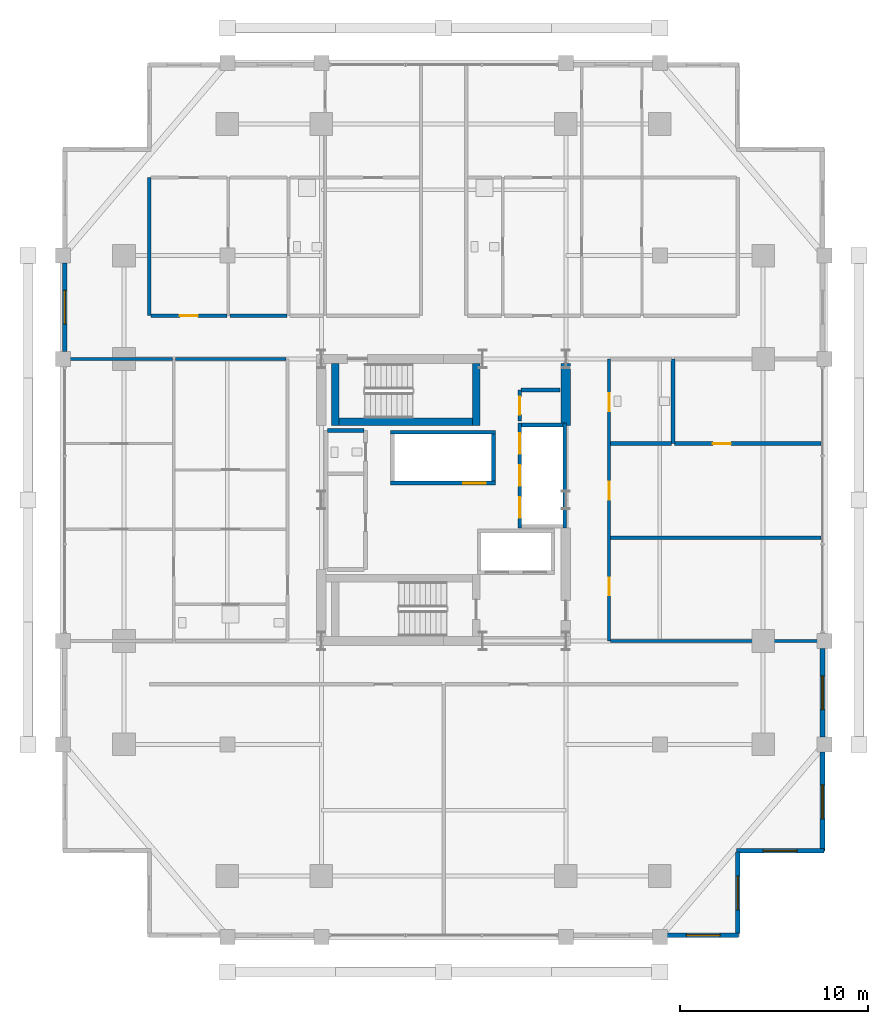
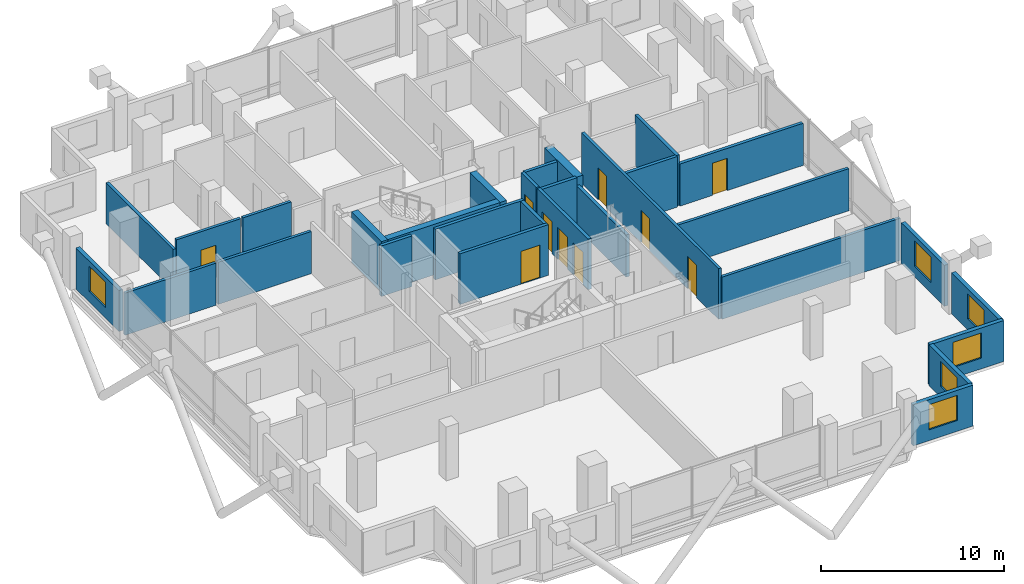
# One storey, part 18 of 22: 30 walls, 10 doors, 6 windows, 16 openings.
"""IFC4 building model written with IfcOpenShell, lengths in metres."""

from ifc_helpers import new_model, si_unit, direction, frame, frame_2d, origin, place, context, subcontext, project, spatial, rectangle, extrude, material, layer, layer_set, type_object, element, fill, save


model = new_model("IFC4")

# Units and contexts
model_context = context("Model", 3, precision=1e-05, world=origin(), true_north=direction((0.0, 1.0)))
body_context = subcontext(model_context, "Body", "Model", "MODEL_VIEW")
ifc_project = project(units=[si_unit("LENGTHUNIT", "METRE"), si_unit("AREAUNIT", "SQUARE_METRE"), si_unit("VOLUMEUNIT", "CUBIC_METRE"), si_unit("PLANEANGLEUNIT", "RADIAN"), si_unit("MASSUNIT", "GRAM", prefix="KILO")], contexts=[model_context])

# Site, building, storey
site_placement = place(None, origin())
site = spatial("IfcSite", under=ifc_project, at=site_placement, CompositionType="ELEMENT")
building_placement = place(site_placement, origin())
building = spatial("IfcBuilding", under=site, at=building_placement, Name="Barlavira Tower and Art Museum", CompositionType="ELEMENT")
storey_placement = place(building_placement, frame((0.0, 0.0, 129.60009765625)))
storey = spatial("IfcBuildingStorey", under=building, at=storey_placement, Name="L32", CompositionType="ELEMENT", Elevation=129.60009765625)

# Wall
ifc_material_1 = material(Name="Concrete C60", Category="concrete")
ifc_layer_1 = layer(ifc_material_1, 0.5, Name="Concrete C60")
ifc_layer_set_1 = layer_set([ifc_layer_1], Name="Concrete C60")
wall_type_1 = type_object("IfcWallType", Name="Core Structural Shear Wall 500 Concrete C60", PredefinedType="SHEAR", material=ifc_layer_set_1)
wall_1_placement = place(storey_placement, frame((6.5, 3.949951171875, 0.0), z_axis=(0.0, 0.0, 1.0), x_axis=(0.0, 1.0, 0.0)))
element("IfcWall", 1, at=wall_1_placement, inside=storey, type_object=wall_type_1, Name="L32 Core Shear Wall CS-E2", PredefinedType="SHEAR", context=body_context, shape_type="SweptSolid", body=[
    extrude(rectangle(XDim=3.300048828125, YDim=0.5, at=frame_2d((1.64990234375, 0.0))), origin(), (0.0, 0.0, 1.0), 3.3798828125),
])

# Wall, openings, doors
ifc_material_2 = material(Name="Autoclaved aerated concrete masonry", Category="masonry")
ifc_layer_2 = layer(ifc_material_2, 0.199951171875, Name="Autoclaved aerated concrete masonry")
ifc_layer_set_2 = layer_set([ifc_layer_2], Name="Autoclaved aerated concrete masonry")
wall_type_2 = type_object("IfcWallType", Name="Fire Compartment and Shaft Wall 200", PredefinedType="SOLIDWALL", material=ifc_layer_set_2)
wall_2_placement = place(storey_placement, frame((4.050048828125, -1.489990234375, 0.0), z_axis=(0.0, 0.0, 1.0), x_axis=(0.0, 1.0, 0.0)))
wall_2 = element("IfcWall", 2, at=wall_2_placement, inside=storey, type_object=wall_type_2, Name="L32 Mid-Rise Lift Front Shaft Wall", PredefinedType="SOLIDWALL", context=body_context, shape_type="SweptSolid", body=[
    extrude(rectangle(XDim=5.580078125, YDim=0.199951171875, at=frame_2d((2.7900390625, 0.0))), origin(), (0.0, 0.0, 1.0), 3.3798828125),
])
opening_1_placement = place(wall_2_placement, frame((0.5400390625, 0.0, 0.0)))
opening_1 = element("IfcOpeningElement", 3, at=opening_1_placement, cuts=wall_2, Name="Opening LD-P", PredefinedType="OPENING", context=body_context, shape_type="SweptSolid", body=[
    extrude(rectangle(XDim=1.10009765625, YDim=2.14990234375, at=frame_2d((0.550048828125, 1.074951171875))), frame((0.0, 0.10986328125, 0.0), z_axis=(0.0, -1.0, 0.0), x_axis=(1.0, 0.0, 0.0)), (0.0, 0.0, 1.0), 0.219970703125),
])
opening_2_placement = place(wall_2_placement, frame((2.239990234375, 0.0, 0.0)))
opening_2 = element("IfcOpeningElement", 4, at=opening_2_placement, cuts=wall_2, Name="Opening LD-P", PredefinedType="OPENING", context=body_context, shape_type="SweptSolid", body=[
    extrude(rectangle(XDim=1.10009765625, YDim=2.14990234375, at=frame_2d((0.550048828125, 1.074951171875))), frame((0.0, 0.10986328125, 0.0), z_axis=(0.0, -1.0, 0.0), x_axis=(1.0, 0.0, 0.0)), (0.0, 0.0, 1.0), 0.219970703125),
])
opening_3_placement = place(wall_2_placement, frame((3.93994140625, 0.0, 0.0)))
opening_3 = element("IfcOpeningElement", 5, at=opening_3_placement, cuts=wall_2, Name="Opening LD-P", PredefinedType="OPENING", context=body_context, shape_type="SweptSolid", body=[
    extrude(rectangle(XDim=1.10009765625, YDim=2.14990234375, at=frame_2d((0.550048828125, 1.074951171875))), frame((0.0, 0.10986328125, 0.0), z_axis=(0.0, -1.0, 0.0), x_axis=(1.0, 0.0, 0.0)), (0.0, 0.0, 1.0), 0.219970703125),
])
ifc_material_3 = material(Name="Brushed stainless steel", Category="steel")
door_type_1 = type_object("IfcDoorType", Name="Passenger Lift Sliding Landing Door 1100x2150 FD60", OperationType="NOTDEFINED", PredefinedType="DOOR", material=ifc_material_3)
door_1_placement = place(opening_1_placement, origin())
door_1 = element("IfcDoor", 6, at=door_1_placement, inside=storey, type_object=door_type_1, Name="L32 Lift PM1 Sliding Landing Door", OperationType="DOUBLE_DOOR_SLIDING", OverallHeight=2.14990234375, OverallWidth=1.10009765625, PredefinedType="DOOR", context=body_context, shape_type="SweptSolid", body=[
    extrude(rectangle(XDim=1.10009765625, YDim=2.14990234375, at=frame_2d((0.550048828125, 1.074951171875))), frame((0.0, 0.02490234375, 0.0), z_axis=(0.0, -1.0, 0.0), x_axis=(1.0, 0.0, 0.0)), (0.0, 0.0, 1.0), 0.050048828125),
])
fill(opening_1, door_1)
door_2_placement = place(opening_2_placement, origin())
door_2 = element("IfcDoor", 7, at=door_2_placement, inside=storey, type_object=door_type_1, Name="L32 Lift PM2 Sliding Landing Door", OperationType="DOUBLE_DOOR_SLIDING", OverallHeight=2.14990234375, OverallWidth=1.10009765625, PredefinedType="DOOR", context=body_context, shape_type="SweptSolid", body=[
    extrude(rectangle(XDim=1.10009765625, YDim=2.14990234375, at=frame_2d((0.550048828125, 1.074951171875))), frame((0.0, 0.02490234375, 0.0), z_axis=(0.0, -1.0, 0.0), x_axis=(1.0, 0.0, 0.0)), (0.0, 0.0, 1.0), 0.050048828125),
])
fill(opening_2, door_2)
door_3_placement = place(opening_3_placement, origin())
door_3 = element("IfcDoor", 8, at=door_3_placement, inside=storey, type_object=door_type_1, Name="L32 Lift PM3 Sliding Landing Door", OperationType="DOUBLE_DOOR_SLIDING", OverallHeight=2.14990234375, OverallWidth=1.10009765625, PredefinedType="DOOR", context=body_context, shape_type="SweptSolid", body=[
    extrude(rectangle(XDim=1.10009765625, YDim=2.14990234375, at=frame_2d((0.550048828125, 1.074951171875))), frame((0.0, 0.02490234375, 0.0), z_axis=(0.0, -1.0, 0.0), x_axis=(1.0, 0.0, 0.0)), (0.0, 0.0, 1.0), 0.050048828125),
])
fill(opening_3, door_3)

# Walls
wall_3_placement = place(storey_placement, frame((6.449951171875, -1.489990234375, 0.0), z_axis=(0.0, 0.0, 1.0), x_axis=(0.0, 1.0, 0.0)))
element("IfcWall", 9, at=wall_3_placement, inside=storey, type_object=wall_type_2, Name="L32 Mid-Rise Lift Back Shaft Wall", PredefinedType="SOLIDWALL", context=body_context, shape_type="SweptSolid", body=[
    extrude(rectangle(XDim=5.580078125, YDim=0.199951171875, at=frame_2d((2.7900390625, 0.0))), origin(), (0.0, 0.0, 1.0), 2.81591796875),
])
wall_4_placement = place(storey_placement, frame((4.14990234375, 3.989990234375, 0.0), z_axis=(0.0, 0.0, 1.0), x_axis=(1.0, 0.0, 0.0)))
element("IfcWall", 10, at=wall_4_placement, inside=storey, type_object=wall_type_2, Name="L32 Mid-Rise Lift North Shaft Wall", PredefinedType="SOLIDWALL", context=body_context, shape_type="SweptSolid", body=[
    extrude(rectangle(XDim=2.2001953125, YDim=0.199951171875, at=frame_2d((1.10009765625, 0.0))), origin(), (0.0, 0.0, 1.0), 3.3798828125),
])

# Wall, opening, door
wall_5_placement = place(storey_placement, frame((-2.820068359375, 0.89990234375, 0.0), z_axis=(0.0, 0.0, 1.0), x_axis=(1.0, 0.0, 0.0)))
wall_5 = element("IfcWall", 11, at=wall_5_placement, inside=storey, type_object=wall_type_2, Name="L32 High-Rise & Service Lift Front Wall", PredefinedType="SOLIDWALL", context=body_context, shape_type="SweptSolid", body=[
    extrude(rectangle(XDim=5.580078125, YDim=0.199951171875, at=frame_2d((2.7900390625, 0.0))), origin(), (0.0, 0.0, 1.0), 3.3798828125),
])
opening_4_placement = place(wall_5_placement, frame((3.860107421875, 0.0, 0.0)))
opening_4 = element("IfcOpeningElement", 12, at=opening_4_placement, cuts=wall_5, Name="Opening LD-F", PredefinedType="OPENING", context=body_context, shape_type="SweptSolid", body=[
    extrude(rectangle(XDim=1.199951171875, YDim=2.199951171875, at=frame_2d((0.60009765625, 1.10009765625))), frame((0.0, 0.10986328125, 0.0), z_axis=(0.0, -1.0, 0.0), x_axis=(1.0, 0.0, 0.0)), (0.0, 0.0, 1.0), 0.219970703125),
])
door_type_2 = type_object("IfcDoorType", Name="Firefighting and Service Lift Sliding Door 1200x2200 FD120", OperationType="NOTDEFINED", PredefinedType="DOOR", material=ifc_material_3)
door_4_placement = place(opening_4_placement, origin())
door_4 = element("IfcDoor", 13, at=door_4_placement, inside=storey, type_object=door_type_2, Name="L32 Stretcher Service Lift SL1 Sliding Door", OperationType="DOUBLE_DOOR_SLIDING", OverallHeight=2.199951171875, OverallWidth=1.199951171875, PredefinedType="DOOR", context=body_context, shape_type="SweptSolid", body=[
    extrude(rectangle(XDim=1.199951171875, YDim=2.199951171875, at=frame_2d((0.60009765625, 1.10009765625))), frame((0.0, 0.02490234375, 0.0), z_axis=(0.0, -1.0, 0.0), x_axis=(1.0, 0.0, 0.0)), (0.0, 0.0, 1.0), 0.050048828125),
])
fill(opening_4, door_4)

# Walls
wall_6_placement = place(storey_placement, frame((-2.820068359375, 3.60009765625, 0.0), z_axis=(0.0, 0.0, 1.0), x_axis=(1.0, 0.0, 0.0)))
element("IfcWall", 14, at=wall_6_placement, inside=storey, type_object=wall_type_2, Name="L32 High-Rise & Service Lift Back Wall", PredefinedType="SOLIDWALL", context=body_context, shape_type="SweptSolid", body=[
    extrude(rectangle(XDim=5.580078125, YDim=0.199951171875, at=frame_2d((2.7900390625, 0.0))), origin(), (0.0, 0.0, 1.0), 3.3798828125),
])
wall_7_placement = place(storey_placement, frame((2.659912109375, 1.0, 0.0), z_axis=(0.0, 0.0, 1.0), x_axis=(0.0, 1.0, 0.0)))
element("IfcWall", 15, at=wall_7_placement, inside=storey, type_object=wall_type_2, Name="L32 High-Rise & Service Lift East Wall", PredefinedType="SOLIDWALL", context=body_context, shape_type="SweptSolid", body=[
    extrude(rectangle(XDim=2.5, YDim=0.199951171875, at=frame_2d((1.25, 0.0))), origin(), (0.0, 0.0, 1.0), 3.3798828125),
])

# Wall, opening, door
wall_8_placement = place(storey_placement, frame((4.050048828125, 4.199951171875, 0.0), z_axis=(0.0, 0.0, 1.0), x_axis=(0.0, 1.0, 0.0)))
wall_8 = element("IfcWall", 16, at=wall_8_placement, inside=storey, type_object=wall_type_2, Name="L32 Partition Wall 13", PredefinedType="SOLIDWALL", context=body_context, shape_type="SweptSolid", body=[
    extrude(rectangle(XDim=1.650146484375, YDim=0.199951171875, at=frame_2d((0.8251953125, 0.0))), origin(), (0.0, 0.0, 1.0), 3.3798828125),
])
opening_5_placement = place(wall_8_placement, frame((0.344970703125, 0.0, 0.0)))
opening_5 = element("IfcOpeningElement", 17, at=opening_5_placement, cuts=wall_8, Name="Opening FD-60", PredefinedType="OPENING", context=body_context, shape_type="SweptSolid", body=[
    extrude(rectangle(XDim=0.949951171875, YDim=2.14990234375, at=frame_2d((0.47509765625, 1.074951171875))), frame((0.0, 0.10986328125, 0.0), z_axis=(0.0, -1.0, 0.0), x_axis=(1.0, 0.0, 0.0)), (0.0, 0.0, 1.0), 0.219970703125),
])
door_type_3 = type_object("IfcDoorType", Name="Apartment Entrance and Riser Fire Door 950x2150 FD60S", OperationType="NOTDEFINED", PredefinedType="DOOR", material=ifc_material_3)
door_5_placement = place(opening_5_placement, origin())
door_5 = element("IfcDoor", 18, at=door_5_placement, inside=storey, type_object=door_type_3, Name="Telecom and BMS Distribution Room Door", OperationType="SINGLE_SWING_LEFT", OverallHeight=2.14990234375, OverallWidth=0.949951171875, PredefinedType="DOOR", context=body_context, shape_type="SweptSolid", body=[
    extrude(rectangle(XDim=0.949951171875, YDim=2.14990234375, at=frame_2d((0.47509765625, 1.074951171875))), frame((0.0, 0.02490234375, 0.0), z_axis=(0.0, -1.0, 0.0), x_axis=(1.0, 0.0, 0.0)), (0.0, 0.0, 1.0), 0.050048828125),
])
fill(opening_5, door_5)

# Walls
wall_9_placement = place(storey_placement, frame((12.199951171875, 3.0, 0.0), z_axis=(0.0, 0.0, 1.0), x_axis=(0.0, 1.0, 0.0)))
element("IfcWall", 19, at=wall_9_placement, inside=storey, type_object=wall_type_2, Name="L32 Partition Wall 17", PredefinedType="SOLIDWALL", context=body_context, shape_type="SweptSolid", body=[
    extrude(rectangle(XDim=4.5, YDim=0.199951171875, at=frame_2d((2.25, 0.0))), origin(), (0.0, 0.0, 1.0), 3.3798828125),
])
wall_10_placement = place(storey_placement, frame((8.8798828125, 3.0, 0.0), z_axis=(0.0, 0.0, 1.0), x_axis=(1.0, 0.0, 0.0)))
element("IfcWall", 20, at=wall_10_placement, inside=storey, type_object=wall_type_2, Name="L32 Partition Wall 32", PredefinedType="SOLIDWALL", context=body_context, shape_type="SweptSolid", body=[
    extrude(rectangle(XDim=3.240234375, YDim=0.199951171875, at=frame_2d((1.6201171875, 0.0))), origin(), (0.0, 0.0, 1.0), 3.3798828125),
])

# Wall, opening, door
wall_11_placement = place(storey_placement, frame((12.280029296875, 3.0, 0.0), z_axis=(0.0, 0.0, 1.0), x_axis=(1.0, 0.0, 0.0)))
wall_11 = element("IfcWall", 21, at=wall_11_placement, inside=storey, type_object=wall_type_2, Name="L32 Partition Wall 33", PredefinedType="SOLIDWALL", context=body_context, shape_type="SweptSolid", body=[
    extrude(rectangle(XDim=7.7900390625, YDim=0.199951171875, at=frame_2d((3.89501953125, 0.0))), origin(), (0.0, 0.0, 1.0), 2.81591796875),
])
opening_6_placement = place(wall_11_placement, frame((2.044921875, 0.0, 0.0)))
opening_6 = element("IfcOpeningElement", 22, at=opening_6_placement, cuts=wall_11, Name="Opening FD-60", PredefinedType="OPENING", context=body_context, shape_type="SweptSolid", body=[
    extrude(rectangle(XDim=0.949951171875, YDim=2.14990234375, at=frame_2d((0.47509765625, 1.074951171875))), frame((0.0, 0.10986328125, 0.0), z_axis=(0.0, -1.0, 0.0), x_axis=(1.0, 0.0, 0.0)), (0.0, 0.0, 1.0), 0.219970703125),
])
door_6_placement = place(opening_6_placement, origin())
door_6 = element("IfcDoor", 23, at=door_6_placement, inside=storey, type_object=door_type_3, Name="Sky Concierge Luggage Store Door", OperationType="SINGLE_SWING_LEFT", OverallHeight=2.14990234375, OverallWidth=0.949951171875, PredefinedType="DOOR", context=body_context, shape_type="SweptSolid", body=[
    extrude(rectangle(XDim=0.949951171875, YDim=2.14990234375, at=frame_2d((0.47509765625, 1.074951171875))), frame((0.0, 0.02490234375, 0.0), z_axis=(0.0, -1.0, 0.0), x_axis=(1.0, 0.0, 0.0)), (0.0, 0.0, 1.0), 0.050048828125),
])
fill(opening_6, door_6)

# Walls
wall_12_placement = place(storey_placement, frame((-6.169921875, 3.699951171875, 0.0), z_axis=(0.0, 0.0, 1.0), x_axis=(1.0, 0.0, 0.0)))
element("IfcWall", 24, at=wall_12_placement, inside=storey, type_object=wall_type_2, Name="L32 Partition Wall 34", PredefinedType="SOLIDWALL", context=body_context, shape_type="SweptSolid", body=[
    extrude(rectangle(XDim=1.93994140625, YDim=0.199951171875, at=frame_2d((0.969970703125, 0.0))), origin(), (0.0, 0.0, 1.0), 3.3798828125),
])
wall_13_placement = place(storey_placement, frame((4.1298828125, 5.85009765625, 0.0), z_axis=(0.0, 0.0, 1.0), x_axis=(1.0, 0.0, 0.0)))
element("IfcWall", 25, at=wall_13_placement, inside=storey, type_object=wall_type_2, Name="L32 Partition Wall 35", PredefinedType="SOLIDWALL", context=body_context, shape_type="SweptSolid", body=[
    extrude(rectangle(XDim=2.070068359375, YDim=0.199951171875, at=frame_2d((1.03515625, 0.0))), origin(), (0.0, 0.0, 1.0), 3.3798828125),
])
ifc_material_4 = material(Name="Gypsum acoustic stud partition", Category="gypsum")
ifc_layer_3 = layer(ifc_material_4, 0.179931640625, Name="Gypsum acoustic stud partition")
ifc_layer_set_3 = layer_set([ifc_layer_3], Name="Gypsum acoustic stud partition")
wall_type_3 = type_object("IfcWallType", Name="Inter-Tenancy Party Partition Wall 180", PredefinedType="PARTITIONING", material=ifc_layer_set_3)
wall_14_placement = place(storey_placement, frame((-15.64990234375, 9.800048828125, 0.0), z_axis=(0.0, 0.0, 1.0), x_axis=(0.0, 1.0, 0.0)))
element("IfcWall", 26, at=wall_14_placement, inside=storey, type_object=wall_type_3, Name="L32 Partition Wall 1", PredefinedType="PARTITIONING", context=body_context, shape_type="SweptSolid", body=[
    extrude(rectangle(XDim=7.349853515625, YDim=0.179931640625, at=frame_2d((3.6748046875, 0.0))), origin(), (0.0, 0.0, 1.0), 2.73583984375),
])

# Wall, openings, doors
wall_15_placement = place(storey_placement, frame((8.800048828125, -7.5, 0.0), z_axis=(0.0, 0.0, 1.0), x_axis=(0.0, 1.0, 0.0)))
wall_15 = element("IfcWall", 27, at=wall_15_placement, inside=storey, type_object=wall_type_3, Name="L32 Partition Wall 15", PredefinedType="PARTITIONING", context=body_context, shape_type="SweptSolid", body=[
    extrude(rectangle(XDim=15.0, YDim=0.179931640625, at=frame_2d((7.5, 0.0))), origin(), (0.0, 0.0, 1.0), 3.3798828125),
])
opening_7_placement = place(wall_15_placement, frame((2.425048828125, 0.0, 0.0)))
opening_7 = element("IfcOpeningElement", 28, at=opening_7_placement, cuts=wall_15, Name="Opening FD-60", PredefinedType="OPENING", context=body_context, shape_type="SweptSolid", body=[
    extrude(rectangle(XDim=0.949951171875, YDim=2.14990234375, at=frame_2d((0.47509765625, 1.074951171875))), frame((0.0, 0.10009765625, 0.0), z_axis=(0.0, -1.0, 0.0), x_axis=(1.0, 0.0, 0.0)), (0.0, 0.0, 1.0), 0.199951171875),
])
opening_8_placement = place(wall_15_placement, frame((7.52490234375, 0.0, 0.0)))
opening_8 = element("IfcOpeningElement", 29, at=opening_8_placement, cuts=wall_15, Name="Opening FD-60", PredefinedType="OPENING", context=body_context, shape_type="SweptSolid", body=[
    extrude(rectangle(XDim=0.949951171875, YDim=2.14990234375, at=frame_2d((0.47509765625, 1.074951171875))), frame((0.0, 0.10009765625, 0.0), z_axis=(0.0, -1.0, 0.0), x_axis=(1.0, 0.0, 0.0)), (0.0, 0.0, 1.0), 0.199951171875),
])
opening_9_placement = place(wall_15_placement, frame((12.22509765625, 0.0, 0.0)))
opening_9 = element("IfcOpeningElement", 30, at=opening_9_placement, cuts=wall_15, Name="Opening FD-60", PredefinedType="OPENING", context=body_context, shape_type="SweptSolid", body=[
    extrude(rectangle(XDim=0.949951171875, YDim=2.14990234375, at=frame_2d((0.47509765625, 1.074951171875))), frame((0.0, 0.10009765625, 0.0), z_axis=(0.0, -1.0, 0.0), x_axis=(1.0, 0.0, 0.0)), (0.0, 0.0, 1.0), 0.199951171875),
])
door_7_placement = place(opening_7_placement, origin())
door_7 = element("IfcDoor", 31, at=door_7_placement, inside=storey, type_object=door_type_3, Name="Shared Sky Cafe Preparation Kitchen Door", OperationType="SINGLE_SWING_RIGHT", OverallHeight=2.14990234375, OverallWidth=0.949951171875, PredefinedType="DOOR", context=body_context, shape_type="SweptSolid", body=[
    extrude(rectangle(XDim=0.949951171875, YDim=2.14990234375, at=frame_2d((0.47509765625, 1.074951171875))), frame((0.0, 0.02490234375, 0.0), z_axis=(0.0, -1.0, 0.0), x_axis=(1.0, 0.0, 0.0)), (0.0, 0.0, 1.0), 0.050048828125),
])
fill(opening_7, door_7)
door_8_placement = place(opening_8_placement, origin())
door_8 = element("IfcDoor", 32, at=door_8_placement, inside=storey, type_object=door_type_3, Name="Sky Executive Meeting Suite Door", OperationType="SINGLE_SWING_LEFT", OverallHeight=2.14990234375, OverallWidth=0.949951171875, PredefinedType="DOOR", context=body_context, shape_type="SweptSolid", body=[
    extrude(rectangle(XDim=0.949951171875, YDim=2.14990234375, at=frame_2d((0.47509765625, 1.074951171875))), frame((0.0, 0.02490234375, 0.0), z_axis=(0.0, -1.0, 0.0), x_axis=(1.0, 0.0, 0.0)), (0.0, 0.0, 1.0), 0.050048828125),
])
fill(opening_8, door_8)
door_9_placement = place(opening_9_placement, origin())
door_9 = element("IfcDoor", 33, at=door_9_placement, inside=storey, type_object=door_type_3, Name="Sky Lobby Accessible Restroom Door", OperationType="SINGLE_SWING_RIGHT", OverallHeight=2.14990234375, OverallWidth=0.949951171875, PredefinedType="DOOR", context=body_context, shape_type="SweptSolid", body=[
    extrude(rectangle(XDim=0.949951171875, YDim=2.14990234375, at=frame_2d((0.47509765625, 1.074951171875))), frame((0.0, 0.02490234375, 0.0), z_axis=(0.0, -1.0, 0.0), x_axis=(1.0, 0.0, 0.0)), (0.0, 0.0, 1.0), 0.050048828125),
])
fill(opening_9, door_9)

# Walls
wall_16_placement = place(storey_placement, frame((8.8798828125, -7.5, 0.0), z_axis=(0.0, 0.0, 1.0), x_axis=(1.0, 0.0, 0.0)))
element("IfcWall", 34, at=wall_16_placement, inside=storey, type_object=wall_type_3, Name="L32 Partition Wall 23", PredefinedType="PARTITIONING", context=body_context, shape_type="SweptSolid", body=[
    extrude(rectangle(XDim=11.27001953125, YDim=0.179931640625, at=frame_2d((5.635009765625, 0.0))), origin(), (0.0, 0.0, 1.0), 2.81591796875),
])
wall_17_placement = place(storey_placement, frame((8.8798828125, -2.0, 0.0), z_axis=(0.0, 0.0, 1.0), x_axis=(1.0, 0.0, 0.0)))
element("IfcWall", 35, at=wall_17_placement, inside=storey, type_object=wall_type_3, Name="L32 Partition Wall 26", PredefinedType="PARTITIONING", context=body_context, shape_type="SweptSolid", body=[
    extrude(rectangle(XDim=11.190185546875, YDim=0.179931640625, at=frame_2d((5.59521484375, 0.0))), origin(), (0.0, 0.0, 1.0), 2.81591796875),
])
wall_18_placement = place(storey_placement, frame((-20.14990234375, 7.5, 0.0), z_axis=(0.0, 0.0, 1.0), x_axis=(1.0, 0.0, 0.0)))
element("IfcWall", 36, at=wall_18_placement, inside=storey, type_object=wall_type_3, Name="L32 Partition Wall 36", PredefinedType="PARTITIONING", context=body_context, shape_type="SweptSolid", body=[
    extrude(rectangle(XDim=5.719970703125, YDim=0.179931640625, at=frame_2d((2.85986328125, 0.0))), origin(), (0.0, 0.0, 1.0), 2.81591796875),
])
wall_19_placement = place(storey_placement, frame((-14.27001953125, 7.5, 0.0), z_axis=(0.0, 0.0, 1.0), x_axis=(1.0, 0.0, 0.0)))
element("IfcWall", 37, at=wall_19_placement, inside=storey, type_object=wall_type_3, Name="L32 Partition Wall 37", PredefinedType="PARTITIONING", context=body_context, shape_type="SweptSolid", body=[
    extrude(rectangle(XDim=5.89013671875, YDim=0.179931640625, at=frame_2d((2.945068359375, 0.0))), origin(), (0.0, 0.0, 1.0), 2.81591796875),
])

# Wall, opening, door
wall_20_placement = place(storey_placement, frame((-15.570068359375, 9.800048828125, 0.0), z_axis=(0.0, 0.0, 1.0), x_axis=(1.0, 0.0, 0.0)))
wall_20 = element("IfcWall", 38, at=wall_20_placement, inside=storey, type_object=wall_type_3, Name="L32 Partition Wall 40", PredefinedType="PARTITIONING", context=body_context, shape_type="SweptSolid", body=[
    extrude(rectangle(XDim=4.0400390625, YDim=0.179931640625, at=frame_2d((2.02001953125, 0.0))), origin(), (0.0, 0.0, 1.0), 3.3798828125),
])
opening_10_placement = place(wall_20_placement, frame((1.544921875, 0.0, 0.0)))
opening_10 = element("IfcOpeningElement", 39, at=opening_10_placement, cuts=wall_20, Name="Opening FD-60", PredefinedType="OPENING", context=body_context, shape_type="SweptSolid", body=[
    extrude(rectangle(XDim=0.949951171875, YDim=2.14990234375, at=frame_2d((0.47509765625, 1.074951171875))), frame((0.0, 0.10009765625, 0.0), z_axis=(0.0, -1.0, 0.0), x_axis=(1.0, 0.0, 0.0)), (0.0, 0.0, 1.0), 0.199951171875),
])
door_10_placement = place(opening_10_placement, origin())
door_10 = element("IfcDoor", 40, at=door_10_placement, inside=storey, type_object=door_type_3, Name="Apartment Entrance Hall SKY-NW Door", OperationType="SINGLE_SWING_RIGHT", OverallHeight=2.14990234375, OverallWidth=0.949951171875, PredefinedType="DOOR", context=body_context, shape_type="SweptSolid", body=[
    extrude(rectangle(XDim=0.949951171875, YDim=2.14990234375, at=frame_2d((0.47509765625, 1.074951171875))), frame((0.0, 0.02490234375, 0.0), z_axis=(0.0, -1.0, 0.0), x_axis=(1.0, 0.0, 0.0)), (0.0, 0.0, 1.0), 0.050048828125),
])
fill(opening_10, door_10)

# Wall
wall_21_placement = place(storey_placement, frame((-11.3701171875, 9.800048828125, 0.0), z_axis=(0.0, 0.0, 1.0), x_axis=(1.0, 0.0, 0.0)))
element("IfcWall", 41, at=wall_21_placement, inside=storey, type_object=wall_type_3, Name="L32 Partition Wall 41", PredefinedType="PARTITIONING", context=body_context, shape_type="SweptSolid", body=[
    extrude(rectangle(XDim=3.0400390625, YDim=0.179931640625, at=frame_2d((1.52001953125, 0.0))), origin(), (0.0, 0.0, 1.0), 3.3798828125),
])

# Wall, opening, window
ifc_material_5 = material(Name="Precast concrete C40", Category="concrete")
ifc_layer_4 = layer(ifc_material_5, 0.25, Name="Precast concrete C40")
ifc_layer_set_4 = layer_set([ifc_layer_4], Name="Precast concrete C40")
wall_type_4 = type_object("IfcWallType", Name="Notched Corner Spandrel Wall 250 Precast Concrete C40", PredefinedType="SOLIDWALL", material=ifc_layer_set_4)
wall_22_placement = place(storey_placement, frame((11.89501953125, -23.14990234375, 0.0), z_axis=(0.0, 0.0, 1.0), x_axis=(1.0, 0.0, 0.0)))
wall_22 = element("IfcWall", 42, at=wall_22_placement, inside=storey, type_object=wall_type_4, Name="L32 Coastal Facade Pier Wall CW2-L32-S-5", PredefinedType="SOLIDWALL", context=body_context, shape_type="SweptSolid", body=[
    extrude(rectangle(XDim=3.780029296875, YDim=0.25, at=frame_2d((1.89013671875, 0.0))), origin(), (0.0, 0.0, 1.0), 2.73583984375),
])
opening_11_placement = place(wall_22_placement, frame((1.012939453125, 0.0, 0.719970703125)))
opening_11 = element("IfcOpeningElement", 43, at=opening_11_placement, cuts=wall_22, Name="Opening WN-01", PredefinedType="OPENING", context=body_context, shape_type="SweptSolid", body=[
    extrude(rectangle(XDim=1.800048828125, YDim=1.679931640625, at=frame_2d((0.89990234375, 0.83984375))), frame((0.0, 0.135009765625, 0.0), z_axis=(0.0, -1.0, 0.0), x_axis=(1.0, 0.0, 0.0)), (0.0, 0.0, 1.0), 0.27001953125),
])
ifc_material_6 = material(Name="Low-iron coastal laminated glass", Category="glass")
window_type = type_object("IfcWindowType", Name="Recessed Notch Corner Punch Window 1800x1680", PartitioningType="SINGLE_PANEL", PredefinedType="WINDOW", material=ifc_material_6)
window_1_placement = place(opening_11_placement, origin())
window_1 = element("IfcWindow", 44, at=window_1_placement, inside=storey, type_object=window_type, Name="L32 Punched Facade Window EWP-CW2-L32-S-5-1", OverallHeight=1.679931640625, OverallWidth=1.800048828125, PartitioningType="SINGLE_PANEL", PredefinedType="WINDOW", context=body_context, shape_type="SweptSolid", body=[
    extrude(rectangle(XDim=1.800048828125, YDim=1.679931640625, at=frame_2d((0.89990234375, 0.83984375))), frame((0.0, 0.030029296875, 0.0), z_axis=(0.0, -1.0, 0.0), x_axis=(1.0, 0.0, 0.0)), (0.0, 0.0, 1.0), 0.06005859375),
])
fill(opening_11, window_1)

wall_23_placement = place(storey_placement, frame((-20.14990234375, 12.60498046875, 0.0), z_axis=(0.0, 0.0, 1.0), x_axis=(0.0, -1.0, 0.0)))
wall_23 = element("IfcWall", 45, at=wall_23_placement, inside=storey, type_object=wall_type_4, Name="L32 Coastal Facade Pier Wall CW2-L32-W-2", PredefinedType="SOLIDWALL", context=body_context, shape_type="SweptSolid", body=[
    extrude(rectangle(XDim=4.7099609375, YDim=0.25, at=frame_2d((2.35498046875, 0.0))), origin(), (0.0, 0.0, 1.0), 2.73583984375),
])
opening_12_placement = place(wall_23_placement, frame((1.455078125, 0.0, 0.719970703125)))
opening_12 = element("IfcOpeningElement", 46, at=opening_12_placement, cuts=wall_23, Name="Opening WN-01", PredefinedType="OPENING", context=body_context, shape_type="SweptSolid", body=[
    extrude(rectangle(XDim=1.800048828125, YDim=1.679931640625, at=frame_2d((0.89990234375, 0.83984375))), frame((0.0, 0.135009765625, 0.0), z_axis=(0.0, -1.0, 0.0), x_axis=(1.0, 0.0, 0.0)), (0.0, 0.0, 1.0), 0.27001953125),
])
window_2_placement = place(opening_12_placement, origin())
window_2 = element("IfcWindow", 47, at=window_2_placement, inside=storey, type_object=window_type, Name="L32 Punched Facade Window EWP-CW2-L32-W-2-1", OverallHeight=1.679931640625, OverallWidth=1.800048828125, PartitioningType="SINGLE_PANEL", PredefinedType="WINDOW", context=body_context, shape_type="SweptSolid", body=[
    extrude(rectangle(XDim=1.800048828125, YDim=1.679931640625, at=frame_2d((0.89990234375, 0.83984375))), frame((0.0, 0.030029296875, 0.0), z_axis=(0.0, -1.0, 0.0), x_axis=(1.0, 0.0, 0.0)), (0.0, 0.0, 1.0), 0.06005859375),
])
fill(opening_12, window_2)

wall_24_placement = place(storey_placement, frame((20.14990234375, -18.675048828125, 0.0), z_axis=(0.0, 0.0, 1.0), x_axis=(0.0, 1.0, 0.0)))
wall_24 = element("IfcWall", 48, at=wall_24_placement, inside=storey, type_object=wall_type_4, Name="L32 Coastal Facade Pier Wall CW2-L32-E-1", PredefinedType="SOLIDWALL", context=body_context, shape_type="SweptSolid", body=[
    extrude(rectangle(XDim=5.280029296875, YDim=0.25, at=frame_2d((2.64013671875, 0.0))), origin(), (0.0, 0.0, 1.0), 2.73583984375),
])
opening_13_placement = place(wall_24_placement, frame((1.718017578125, 0.0, 0.719970703125)))
opening_13 = element("IfcOpeningElement", 49, at=opening_13_placement, cuts=wall_24, Name="Opening WN-01", PredefinedType="OPENING", context=body_context, shape_type="SweptSolid", body=[
    extrude(rectangle(XDim=1.800048828125, YDim=1.679931640625, at=frame_2d((0.89990234375, 0.83984375))), frame((0.0, 0.135009765625, 0.0), z_axis=(0.0, -1.0, 0.0), x_axis=(1.0, 0.0, 0.0)), (0.0, 0.0, 1.0), 0.27001953125),
])
window_3_placement = place(opening_13_placement, origin())
window_3 = element("IfcWindow", 50, at=window_3_placement, inside=storey, type_object=window_type, Name="L32 Punched Facade Window EWP-CW2-L32-E-1-1", OverallHeight=1.679931640625, OverallWidth=1.800048828125, PartitioningType="SINGLE_PANEL", PredefinedType="WINDOW", context=body_context, shape_type="SweptSolid", body=[
    extrude(rectangle(XDim=1.800048828125, YDim=1.679931640625, at=frame_2d((0.89990234375, 0.83984375))), frame((0.0, 0.030029296875, 0.0), z_axis=(0.0, -1.0, 0.0), x_axis=(1.0, 0.0, 0.0)), (0.0, 0.0, 1.0), 0.06005859375),
])
fill(opening_13, window_3)

wall_25_placement = place(storey_placement, frame((20.14990234375, -12.60498046875, 0.0), z_axis=(0.0, 0.0, 1.0), x_axis=(0.0, 1.0, 0.0)))
wall_25 = element("IfcWall", 51, at=wall_25_placement, inside=storey, type_object=wall_type_4, Name="L32 Coastal Facade Pier Wall CW2-L32-E-2", PredefinedType="SOLIDWALL", context=body_context, shape_type="SweptSolid", body=[
    extrude(rectangle(XDim=4.7099609375, YDim=0.25, at=frame_2d((2.35498046875, 0.0))), origin(), (0.0, 0.0, 1.0), 2.73583984375),
])
opening_14_placement = place(wall_25_placement, frame((1.455078125, 0.0, 0.719970703125)))
opening_14 = element("IfcOpeningElement", 52, at=opening_14_placement, cuts=wall_25, Name="Opening WN-01", PredefinedType="OPENING", context=body_context, shape_type="SweptSolid", body=[
    extrude(rectangle(XDim=1.800048828125, YDim=1.679931640625, at=frame_2d((0.89990234375, 0.83984375))), frame((0.0, 0.135009765625, 0.0), z_axis=(0.0, -1.0, 0.0), x_axis=(1.0, 0.0, 0.0)), (0.0, 0.0, 1.0), 0.27001953125),
])
window_4_placement = place(opening_14_placement, origin())
window_4 = element("IfcWindow", 53, at=window_4_placement, inside=storey, type_object=window_type, Name="L32 Punched Facade Window EWP-CW2-L32-E-2-1", OverallHeight=1.679931640625, OverallWidth=1.800048828125, PartitioningType="SINGLE_PANEL", PredefinedType="WINDOW", context=body_context, shape_type="SweptSolid", body=[
    extrude(rectangle(XDim=1.800048828125, YDim=1.679931640625, at=frame_2d((0.89990234375, 0.83984375))), frame((0.0, 0.030029296875, 0.0), z_axis=(0.0, -1.0, 0.0), x_axis=(1.0, 0.0, 0.0)), (0.0, 0.0, 1.0), 0.06005859375),
])
fill(opening_14, window_4)

wall_26_placement = place(storey_placement, frame((15.64990234375, -23.070068359375, 0.0), z_axis=(0.0, 0.0, 1.0), x_axis=(0.0, 1.0, 0.0)))
wall_26 = element("IfcWall", 54, at=wall_26_placement, inside=storey, type_object=wall_type_4, Name="L32 Notch Corner Wall SE1", PredefinedType="SOLIDWALL", context=body_context, shape_type="SweptSolid", body=[
    extrude(rectangle(XDim=4.340087890625, YDim=0.25, at=frame_2d((2.169921875, 0.0))), origin(), (0.0, 0.0, 1.0), 2.73583984375),
])
opening_15_placement = place(wall_26_placement, frame((1.27001953125, 0.0, 0.719970703125)))
opening_15 = element("IfcOpeningElement", 55, at=opening_15_placement, cuts=wall_26, Name="Opening WN-01", PredefinedType="OPENING", context=body_context, shape_type="SweptSolid", body=[
    extrude(rectangle(XDim=1.800048828125, YDim=1.679931640625, at=frame_2d((0.89990234375, 0.83984375))), frame((0.0, 0.135009765625, 0.0), z_axis=(0.0, -1.0, 0.0), x_axis=(1.0, 0.0, 0.0)), (0.0, 0.0, 1.0), 0.27001953125),
])
window_5_placement = place(opening_15_placement, origin())
window_5 = element("IfcWindow", 56, at=window_5_placement, inside=storey, type_object=window_type, Name="L32 Punched Facade Window EW-NTC-L32-SE1-1", OverallHeight=1.679931640625, OverallWidth=1.800048828125, PartitioningType="SINGLE_PANEL", PredefinedType="WINDOW", context=body_context, shape_type="SweptSolid", body=[
    extrude(rectangle(XDim=1.800048828125, YDim=1.679931640625, at=frame_2d((0.89990234375, 0.83984375))), frame((0.0, 0.030029296875, 0.0), z_axis=(0.0, -1.0, 0.0), x_axis=(1.0, 0.0, 0.0)), (0.0, 0.0, 1.0), 0.06005859375),
])
fill(opening_15, window_5)

wall_27_placement = place(storey_placement, frame((15.570068359375, -18.64990234375, 0.0), z_axis=(0.0, 0.0, 1.0), x_axis=(1.0, 0.0, 0.0)))
wall_27 = element("IfcWall", 57, at=wall_27_placement, inside=storey, type_object=wall_type_4, Name="L32 Notch Corner Wall SE2", PredefinedType="SOLIDWALL", context=body_context, shape_type="SweptSolid", body=[
    extrude(rectangle(XDim=4.659912109375, YDim=0.25, at=frame_2d((2.330078125, 0.0))), origin(), (0.0, 0.0, 1.0), 2.73583984375),
])
opening_16_placement = place(wall_27_placement, frame((1.429931640625, 0.0, 0.719970703125)))
opening_16 = element("IfcOpeningElement", 58, at=opening_16_placement, cuts=wall_27, Name="Opening WN-01", PredefinedType="OPENING", context=body_context, shape_type="SweptSolid", body=[
    extrude(rectangle(XDim=1.800048828125, YDim=1.679931640625, at=frame_2d((0.89990234375, 0.83984375))), frame((0.0, 0.135009765625, 0.0), z_axis=(0.0, -1.0, 0.0), x_axis=(1.0, 0.0, 0.0)), (0.0, 0.0, 1.0), 0.27001953125),
])
window_6_placement = place(opening_16_placement, origin())
window_6 = element("IfcWindow", 59, at=window_6_placement, inside=storey, type_object=window_type, Name="L32 Punched Facade Window EW-NTC-L32-SE2-1", OverallHeight=1.679931640625, OverallWidth=1.800048828125, PartitioningType="SINGLE_PANEL", PredefinedType="WINDOW", context=body_context, shape_type="SweptSolid", body=[
    extrude(rectangle(XDim=1.800048828125, YDim=1.679931640625, at=frame_2d((0.89990234375, 0.83984375))), frame((0.0, 0.030029296875, 0.0), z_axis=(0.0, -1.0, 0.0), x_axis=(1.0, 0.0, 0.0)), (0.0, 0.0, 1.0), 0.06005859375),
])
fill(opening_16, window_6)

# Walls
ifc_material_7 = material(Name="Concrete C55", Category="concrete")
ifc_layer_5 = layer(ifc_material_7, 0.39990234375, Name="Concrete C55")
ifc_layer_set_5 = layer_set([ifc_layer_5], Name="Concrete C55")
wall_type_5 = type_object("IfcWallType", Name="Upper Core Shear Wall 400 Concrete C55", PredefinedType="SHEAR", material=ifc_layer_set_5)
wall_28_placement = place(storey_placement, frame((-5.550048828125, 4.14990234375, 0.0), z_axis=(0.0, 0.0, 1.0), x_axis=(1.0, 0.0, 0.0)))
element("IfcWall", 60, at=wall_28_placement, inside=storey, type_object=wall_type_5, Name="L32 ST-T2 South Shaft Wall", PredefinedType="SHEAR", context=body_context, shape_type="SweptSolid", body=[
    extrude(rectangle(XDim=7.080078125, YDim=0.39990234375, at=frame_2d((3.5400390625, 0.0))), origin(), (0.0, 0.0, 1.0), 3.3798828125),
])
for number, where, z_axis, x_axis, name in (
    (61, (1.72998046875, 3.949951171875, 0.0), (0.0, 0.0, 1.0), (0.0, 1.0, 0.0), "L32 ST-T2 East Half-Landing Wall"),
    (62, (-5.75, 3.949951171875, 0.0), (0.0, 0.0, 1.0), (0.0, 1.0, 0.0), "L32 ST-T2 West Shaft Wall"),
):
    element("IfcWall", number, at=place(storey_placement, frame(where, z_axis=z_axis, x_axis=x_axis)), inside=storey, type_object=wall_type_5, Name=name, PredefinedType="SHEAR", context=body_context, shape_type="SweptSolid", body=[
        extrude(rectangle(XDim=3.300048828125, YDim=0.39990234375, at=frame_2d((1.64990234375, 0.0))), origin(), (0.0, 0.0, 1.0), 3.3798828125),
    ])

save(model, "model.ifc")
